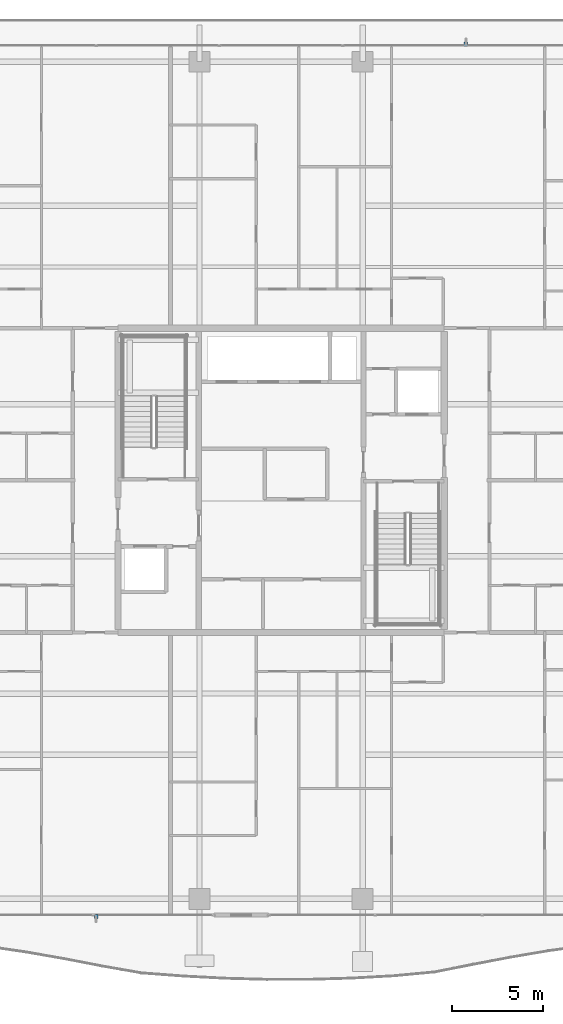
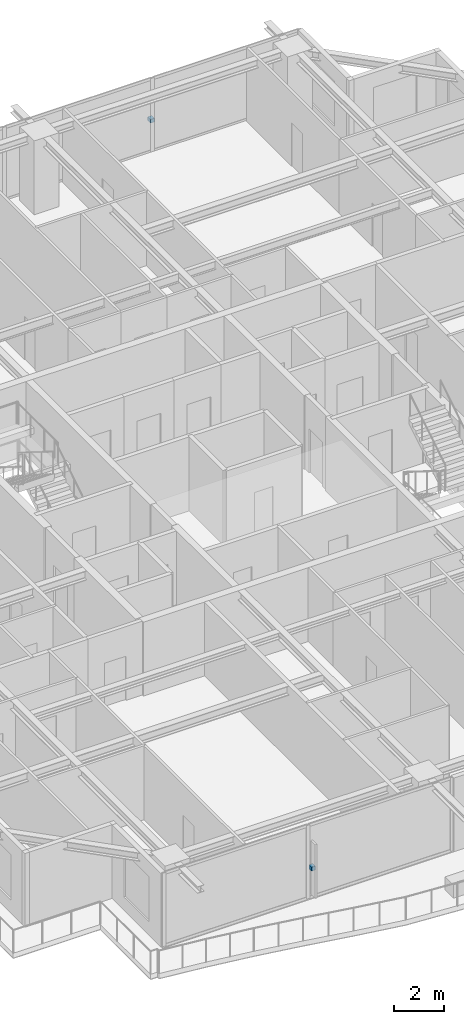
# One storey, part 30 of 38: 2 discrete accessories.
"""IFC4 building model written with IfcOpenShell, lengths in metres."""

from ifc_helpers import new_model, si_unit, direction, frame, origin, origin_2d, place, context, subcontext, project, spatial, rectangle, extrude, source, transform, mapped, material, type_object, element, save


model = new_model("IFC4")

# Units and contexts
model_context = context("Model", 3, precision=1e-05, world=origin(), true_north=direction((0.0, 1.0)))
body_context = subcontext(model_context, "Body", "Model", "MODEL_VIEW")
ifc_project = project(units=[si_unit("LENGTHUNIT", "METRE"), si_unit("AREAUNIT", "SQUARE_METRE"), si_unit("VOLUMEUNIT", "CUBIC_METRE"), si_unit("PLANEANGLEUNIT", "RADIAN"), si_unit("MASSUNIT", "GRAM", prefix="KILO")], contexts=[model_context])

# Site, building, storey
site_placement = place(None, origin())
site = spatial("IfcSite", under=ifc_project, at=site_placement, CompositionType="ELEMENT")
building_placement = place(site_placement, origin())
building = spatial("IfcBuilding", under=site, at=building_placement, Name="Serunith Strait Residences", CompositionType="ELEMENT")
storey_placement = place(building_placement, frame((0.0, 0.0, 241.25)))
storey = spatial("IfcBuildingStorey", under=building, at=storey_placement, Name="L60", CompositionType="ELEMENT", Elevation=241.25)

# Discrete accessories
ifc_material = material(Name="Stainless Steel Facade Cleat Bracket", Category="steel")
discrete_accessory_type = type_object("IfcDiscreteAccessoryType", Name="ACC-FIN-BRACKET", PredefinedType="USERDEFINED", material=ifc_material)
shared_shape = source(origin(), body_context, "Body", "SweptSolid", [
    extrude(rectangle(XDim=0.179931640625, YDim=0.219970703125, at=origin_2d()), origin(), (0.0, 0.0, 1.0), 0.179931640625),
])
for number, where, z_axis, x_axis, name in (
    (1, (22.199951171875, 1.1201171875, 1.41015625), (0.0, 0.0, 1.0), (1.0, 0.0, 0.0), "L60 Solar Fin Cleat Bracket S"),
    (2, (42.60009765625, 49.280029296875, 1.41015625), (0.0, 0.0, 1.0), (1.0, 0.0, 0.0), "L60 Solar Fin Cleat Bracket N"),
):
    element("IfcDiscreteAccessory", number, at=place(storey_placement, frame(where, z_axis=z_axis, x_axis=x_axis)), inside=storey, type_object=discrete_accessory_type, Name=name, ObjectType="BRACKET", PredefinedType="USERDEFINED", context=body_context, shape_type="MappedRepresentation", body=[
        mapped(shared_shape, transform((0.0, 0.0, 0.0), scale=1.0)),
    ])

save(model, "model.ifc")
